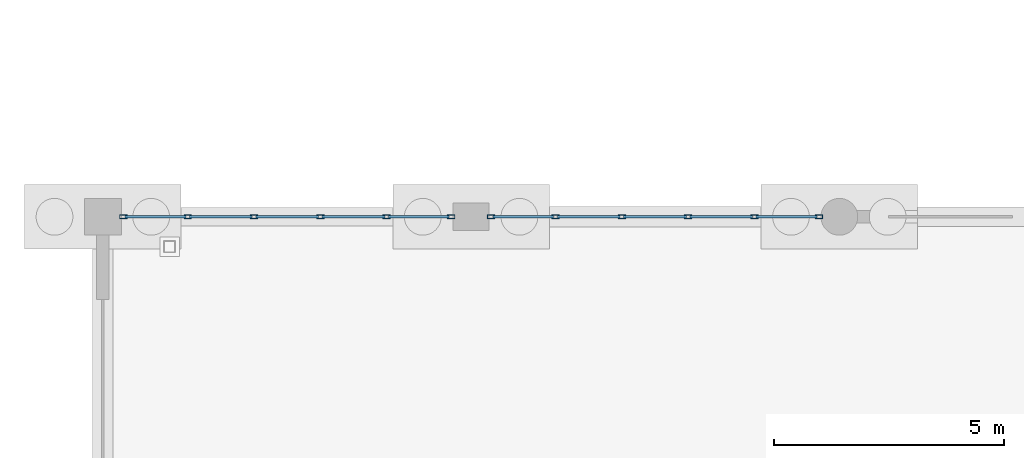
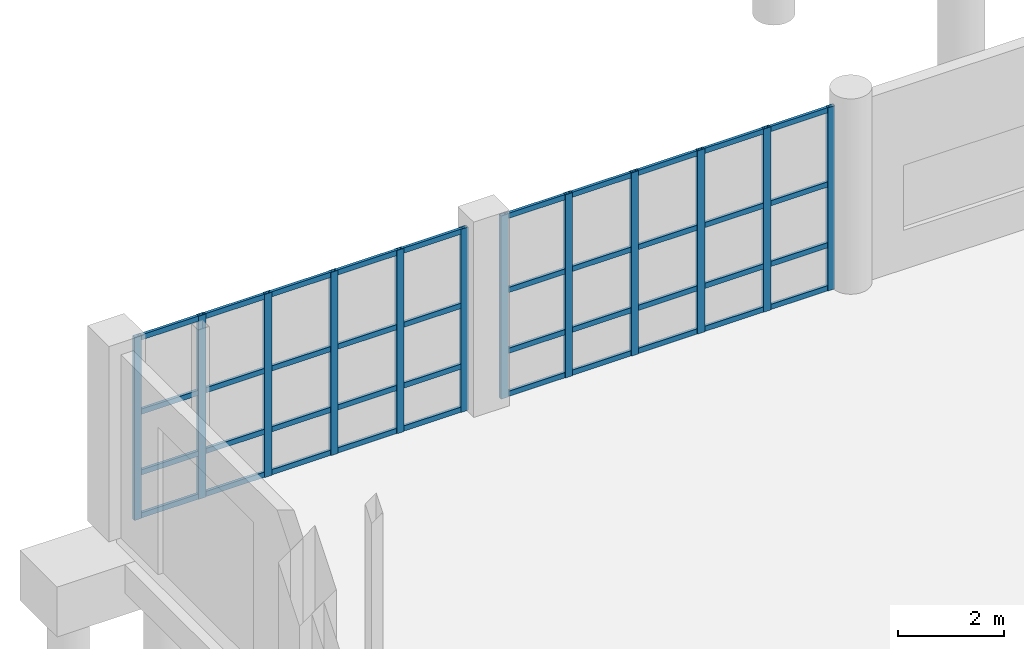
# One storey, part 59 of 166: 52 members, 2 elements without a shape of their own.
"""IFC4 building model written with IfcOpenShell, lengths in metres."""

from ifc_helpers import new_model, si_unit, direction, frame, origin, origin_2d, place, context, subcontext, project, spatial, hollow_rectangle, extrude, material, material_profile, profile_set, type_object, element, aggregate, save


model = new_model("IFC4")

# Units and contexts
model_context = context("Model", 3, precision=1e-05, world=origin(), true_north=direction((0.0, 1.0)))
body_context = subcontext(model_context, "Body", "Model", "MODEL_VIEW")
ifc_project = project(units=[si_unit("LENGTHUNIT", "METRE"), si_unit("AREAUNIT", "SQUARE_METRE"), si_unit("VOLUMEUNIT", "CUBIC_METRE"), si_unit("PLANEANGLEUNIT", "RADIAN"), si_unit("MASSUNIT", "GRAM", prefix="KILO")], contexts=[model_context])

# Site, building, storey
site_placement = place(None, origin())
site = spatial("IfcSite", under=ifc_project, at=site_placement, CompositionType="ELEMENT")
building_placement = place(site_placement, origin())
building = spatial("IfcBuilding", under=site, at=building_placement, Name="Kharva Crest Polytechnic", CompositionType="ELEMENT")
storey_placement = place(building_placement, origin())
storey = spatial("IfcBuildingStorey", under=building, at=storey_placement, Name="L00", CompositionType="ELEMENT", Elevation=0.0)

# Curtain wall, members
ifc_material_1 = material(Name="Tempered insulated glass", Category="glass")
curtain_wall_type = type_object("IfcCurtainWallType", Name="CW-SYS-COURT", PredefinedType="USERDEFINED", material=ifc_material_1)
curtain_wall_1_placement = place(storey_placement, origin())
curtain_wall_1 = element("IfcCurtainWall", 1, at=curtain_wall_1_placement, inside=storey, type_object=curtain_wall_type, Name="L00 Glazed Curtain Wall CW-032", ObjectType="CURTAIN WALL", PredefinedType="USERDEFINED")
ifc_material_2 = material(Name="Steel S355", Category="steel")
ifc_material_profile_1 = material_profile(ifc_material_2, hollow_rectangle(XDim=0.080078125, YDim=0.159912109375, WallThickness=0.0048828125, at=origin_2d()), Name="RHS 160X80X5.0")
ifc_profile_set_1 = profile_set([ifc_material_profile_1], Name="Steel S355")
member_type_1 = type_object("IfcMemberType", Name="CWM-RHS160X80", PredefinedType="MULLION", material=ifc_profile_set_1)
member_1_placement = place(storey_placement, frame((15.554931640625, 93.199951171875, 0.0), z_axis=(0.0, 0.0, 1.0), x_axis=(0.0, -1.0, 0.0)))
member_1 = element("IfcMember", 2, at=member_1_placement, type_object=member_type_1, Name="CW-032 mullion 1", PredefinedType="MULLION", context=body_context, shape_type="SweptSolid", body=[
    extrude(hollow_rectangle(XDim=0.080078125, YDim=0.159912109375, WallThickness=0.0048828125, at=origin_2d()), origin(), (0.0, 0.0, 1.0), 4.219970703125),
])
member_2_placement = place(storey_placement, frame((14.155029296875, 93.199951171875, 0.0), z_axis=(0.0, 0.0, 1.0), x_axis=(0.0, -1.0, 0.0)))
member_2 = element("IfcMember", 3, at=member_2_placement, type_object=member_type_1, Name="CW-032 mullion 2", PredefinedType="MULLION", context=body_context, shape_type="SweptSolid", body=[
    extrude(hollow_rectangle(XDim=0.080078125, YDim=0.159912109375, WallThickness=0.0048828125, at=origin_2d()), origin(), (0.0, 0.0, 1.0), 4.219970703125),
])
member_3_placement = place(storey_placement, frame((12.715087890625, 93.199951171875, 0.0), z_axis=(0.0, 0.0, 1.0), x_axis=(0.0, -1.0, 0.0)))
member_3 = element("IfcMember", 4, at=member_3_placement, type_object=member_type_1, Name="CW-032 mullion 3", PredefinedType="MULLION", context=body_context, shape_type="SweptSolid", body=[
    extrude(hollow_rectangle(XDim=0.080078125, YDim=0.159912109375, WallThickness=0.0048828125, at=origin_2d()), origin(), (0.0, 0.0, 1.0), 4.219970703125),
])
member_4_placement = place(storey_placement, frame((11.27490234375, 93.199951171875, 0.0), z_axis=(0.0, 0.0, 1.0), x_axis=(0.0, -1.0, 0.0)))
member_4 = element("IfcMember", 5, at=member_4_placement, type_object=member_type_1, Name="CW-032 mullion 4", PredefinedType="MULLION", context=body_context, shape_type="SweptSolid", body=[
    extrude(hollow_rectangle(XDim=0.080078125, YDim=0.159912109375, WallThickness=0.0048828125, at=origin_2d()), origin(), (0.0, 0.0, 1.0), 4.219970703125),
])
member_5_placement = place(storey_placement, frame((9.8349609375, 93.199951171875, 0.0), z_axis=(0.0, 0.0, 1.0), x_axis=(0.0, -1.0, 0.0)))
member_5 = element("IfcMember", 6, at=member_5_placement, type_object=member_type_1, Name="CW-032 mullion 5", PredefinedType="MULLION", context=body_context, shape_type="SweptSolid", body=[
    extrude(hollow_rectangle(XDim=0.080078125, YDim=0.159912109375, WallThickness=0.0048828125, at=origin_2d()), origin(), (0.0, 0.0, 1.0), 4.219970703125),
])
member_6_placement = place(storey_placement, frame((8.43505859375, 93.199951171875, 0.0), z_axis=(0.0, 0.0, 1.0), x_axis=(0.0, -1.0, 0.0)))
member_6 = element("IfcMember", 7, at=member_6_placement, type_object=member_type_1, Name="CW-032 mullion 6", PredefinedType="MULLION", context=body_context, shape_type="SweptSolid", body=[
    extrude(hollow_rectangle(XDim=0.080078125, YDim=0.159912109375, WallThickness=0.0048828125, at=origin_2d()), origin(), (0.0, 0.0, 1.0), 4.219970703125),
])

curtain_wall_2_placement = place(storey_placement, origin())
curtain_wall_2 = element("IfcCurtainWall", 8, at=curtain_wall_2_placement, inside=storey, type_object=curtain_wall_type, Name="L00 Glazed Curtain Wall CW-033", ObjectType="CURTAIN WALL", PredefinedType="USERDEFINED")
member_7_placement = place(storey_placement, frame((7.56494140625, 93.199951171875, 0.0), z_axis=(0.0, 0.0, 1.0), x_axis=(0.0, -1.0, 0.0)))
member_7 = element("IfcMember", 9, at=member_7_placement, type_object=member_type_1, Name="CW-033 mullion 1", PredefinedType="MULLION", context=body_context, shape_type="SweptSolid", body=[
    extrude(hollow_rectangle(XDim=0.080078125, YDim=0.159912109375, WallThickness=0.0048828125, at=origin_2d()), origin(), (0.0, 0.0, 1.0), 4.219970703125),
])
member_8_placement = place(storey_placement, frame((6.1650390625, 93.199951171875, 0.0), z_axis=(0.0, 0.0, 1.0), x_axis=(0.0, -1.0, 0.0)))
member_8 = element("IfcMember", 10, at=member_8_placement, type_object=member_type_1, Name="CW-033 mullion 2", PredefinedType="MULLION", context=body_context, shape_type="SweptSolid", body=[
    extrude(hollow_rectangle(XDim=0.080078125, YDim=0.159912109375, WallThickness=0.0048828125, at=origin_2d()), origin(), (0.0, 0.0, 1.0), 4.219970703125),
])
member_9_placement = place(storey_placement, frame((4.72509765625, 93.199951171875, 0.0), z_axis=(0.0, 0.0, 1.0), x_axis=(0.0, -1.0, 0.0)))
member_9 = element("IfcMember", 11, at=member_9_placement, type_object=member_type_1, Name="CW-033 mullion 3", PredefinedType="MULLION", context=body_context, shape_type="SweptSolid", body=[
    extrude(hollow_rectangle(XDim=0.080078125, YDim=0.159912109375, WallThickness=0.0048828125, at=origin_2d()), origin(), (0.0, 0.0, 1.0), 4.219970703125),
])
member_10_placement = place(storey_placement, frame((3.284912109375, 93.199951171875, 0.0), z_axis=(0.0, 0.0, 1.0), x_axis=(0.0, -1.0, 0.0)))
member_10 = element("IfcMember", 12, at=member_10_placement, type_object=member_type_1, Name="CW-033 mullion 4", PredefinedType="MULLION", context=body_context, shape_type="SweptSolid", body=[
    extrude(hollow_rectangle(XDim=0.080078125, YDim=0.159912109375, WallThickness=0.0048828125, at=origin_2d()), origin(), (0.0, 0.0, 1.0), 4.219970703125),
])
member_11_placement = place(storey_placement, frame((1.844970703125, 93.199951171875, 0.0), z_axis=(0.0, 0.0, 1.0), x_axis=(0.0, -1.0, 0.0)))
member_11 = element("IfcMember", 13, at=member_11_placement, type_object=member_type_1, Name="CW-033 mullion 5", PredefinedType="MULLION", context=body_context, shape_type="SweptSolid", body=[
    extrude(hollow_rectangle(XDim=0.080078125, YDim=0.159912109375, WallThickness=0.0048828125, at=origin_2d()), origin(), (0.0, 0.0, 1.0), 4.219970703125),
])
member_12_placement = place(storey_placement, frame((0.445068359375, 93.199951171875, 0.0), z_axis=(0.0, 0.0, 1.0), x_axis=(0.0, -1.0, 0.0)))
member_12 = element("IfcMember", 14, at=member_12_placement, type_object=member_type_1, Name="CW-033 mullion 6", PredefinedType="MULLION", context=body_context, shape_type="SweptSolid", body=[
    extrude(hollow_rectangle(XDim=0.080078125, YDim=0.159912109375, WallThickness=0.0048828125, at=origin_2d()), origin(), (0.0, 0.0, 1.0), 4.219970703125),
])

# Member
ifc_material_profile_2 = material_profile(ifc_material_2, hollow_rectangle(XDim=0.06005859375, YDim=0.1201171875, WallThickness=0.00390625, at=origin_2d()), Name="RHS 120X60X4.0")
ifc_profile_set_2 = profile_set([ifc_material_profile_2], Name="Steel S355")
member_type_2 = type_object("IfcMemberType", Name="CWT-RHS120X60", PredefinedType="USERDEFINED", material=ifc_profile_set_2)
member_13_placement = place(storey_placement, frame((15.514892578125, 93.199951171875, 0.06005859375), z_axis=(-1.0, 0.0, 0.0), x_axis=(0.0, -1.0, 0.0)))
member_13 = element("IfcMember", 15, at=member_13_placement, type_object=member_type_2, Name="CW-032 transom 1.1", ObjectType="TRANSOM", PredefinedType="USERDEFINED", context=body_context, shape_type="SweptSolid", body=[
    extrude(hollow_rectangle(XDim=0.06005859375, YDim=0.1201171875, WallThickness=0.00390625, at=origin_2d()), origin(), (0.0, 0.0, 1.0), 1.31982421875),
])

member_14_placement = place(storey_placement, frame((15.514892578125, 93.199951171875, 1.050048828125), z_axis=(-1.0, 0.0, 0.0), x_axis=(0.0, -1.0, 0.0)))
member_14 = element("IfcMember", 16, at=member_14_placement, type_object=member_type_2, Name="CW-032 transom 1.2", ObjectType="TRANSOM", PredefinedType="USERDEFINED", context=body_context, shape_type="SweptSolid", body=[
    extrude(hollow_rectangle(XDim=0.06005859375, YDim=0.1201171875, WallThickness=0.00390625, at=origin_2d()), origin(), (0.0, 0.0, 1.0), 1.31982421875),
])

member_15_placement = place(storey_placement, frame((15.514892578125, 93.199951171875, 2.449951171875), z_axis=(-1.0, 0.0, 0.0), x_axis=(0.0, -1.0, 0.0)))
member_15 = element("IfcMember", 17, at=member_15_placement, type_object=member_type_2, Name="CW-032 transom 1.3", ObjectType="TRANSOM", PredefinedType="USERDEFINED", context=body_context, shape_type="SweptSolid", body=[
    extrude(hollow_rectangle(XDim=0.06005859375, YDim=0.1201171875, WallThickness=0.00390625, at=origin_2d()), origin(), (0.0, 0.0, 1.0), 1.31982421875),
])

member_16_placement = place(storey_placement, frame((15.514892578125, 93.199951171875, 4.159912109375), z_axis=(-1.0, 0.0, 0.0), x_axis=(0.0, -1.0, 0.0)))
member_16 = element("IfcMember", 18, at=member_16_placement, type_object=member_type_2, Name="CW-032 transom 1.4", ObjectType="TRANSOM", PredefinedType="USERDEFINED", context=body_context, shape_type="SweptSolid", body=[
    extrude(hollow_rectangle(XDim=0.06005859375, YDim=0.1201171875, WallThickness=0.00390625, at=origin_2d()), origin(), (0.0, 0.0, 1.0), 1.31982421875),
])

member_17_placement = place(storey_placement, frame((14.114990234375, 93.199951171875, 0.06005859375), z_axis=(-1.0, 0.0, 0.0), x_axis=(0.0, -1.0, 0.0)))
member_17 = element("IfcMember", 19, at=member_17_placement, type_object=member_type_2, Name="CW-032 transom 2.1", ObjectType="TRANSOM", PredefinedType="USERDEFINED", context=body_context, shape_type="SweptSolid", body=[
    extrude(hollow_rectangle(XDim=0.06005859375, YDim=0.1201171875, WallThickness=0.00390625, at=origin_2d()), origin(), (0.0, 0.0, 1.0), 1.360107421875),
])

member_18_placement = place(storey_placement, frame((14.114990234375, 93.199951171875, 1.050048828125), z_axis=(-1.0, 0.0, 0.0), x_axis=(0.0, -1.0, 0.0)))
member_18 = element("IfcMember", 20, at=member_18_placement, type_object=member_type_2, Name="CW-032 transom 2.2", ObjectType="TRANSOM", PredefinedType="USERDEFINED", context=body_context, shape_type="SweptSolid", body=[
    extrude(hollow_rectangle(XDim=0.06005859375, YDim=0.1201171875, WallThickness=0.00390625, at=origin_2d()), origin(), (0.0, 0.0, 1.0), 1.360107421875),
])

member_19_placement = place(storey_placement, frame((14.114990234375, 93.199951171875, 2.449951171875), z_axis=(-1.0, 0.0, 0.0), x_axis=(0.0, -1.0, 0.0)))
member_19 = element("IfcMember", 21, at=member_19_placement, type_object=member_type_2, Name="CW-032 transom 2.3", ObjectType="TRANSOM", PredefinedType="USERDEFINED", context=body_context, shape_type="SweptSolid", body=[
    extrude(hollow_rectangle(XDim=0.06005859375, YDim=0.1201171875, WallThickness=0.00390625, at=origin_2d()), origin(), (0.0, 0.0, 1.0), 1.360107421875),
])

member_20_placement = place(storey_placement, frame((14.114990234375, 93.199951171875, 4.159912109375), z_axis=(-1.0, 0.0, 0.0), x_axis=(0.0, -1.0, 0.0)))
member_20 = element("IfcMember", 22, at=member_20_placement, type_object=member_type_2, Name="CW-032 transom 2.4", ObjectType="TRANSOM", PredefinedType="USERDEFINED", context=body_context, shape_type="SweptSolid", body=[
    extrude(hollow_rectangle(XDim=0.06005859375, YDim=0.1201171875, WallThickness=0.00390625, at=origin_2d()), origin(), (0.0, 0.0, 1.0), 1.360107421875),
])

member_21_placement = place(storey_placement, frame((12.675048828125, 93.199951171875, 0.06005859375), z_axis=(-1.0, 0.0, 0.0), x_axis=(0.0, -1.0, 0.0)))
member_21 = element("IfcMember", 23, at=member_21_placement, type_object=member_type_2, Name="CW-032 transom 3.1", ObjectType="TRANSOM", PredefinedType="USERDEFINED", context=body_context, shape_type="SweptSolid", body=[
    extrude(hollow_rectangle(XDim=0.06005859375, YDim=0.1201171875, WallThickness=0.00390625, at=origin_2d()), origin(), (0.0, 0.0, 1.0), 1.360107421875),
])

member_22_placement = place(storey_placement, frame((12.675048828125, 93.199951171875, 1.050048828125), z_axis=(-1.0, 0.0, 0.0), x_axis=(0.0, -1.0, 0.0)))
member_22 = element("IfcMember", 24, at=member_22_placement, type_object=member_type_2, Name="CW-032 transom 3.2", ObjectType="TRANSOM", PredefinedType="USERDEFINED", context=body_context, shape_type="SweptSolid", body=[
    extrude(hollow_rectangle(XDim=0.06005859375, YDim=0.1201171875, WallThickness=0.00390625, at=origin_2d()), origin(), (0.0, 0.0, 1.0), 1.360107421875),
])

member_23_placement = place(storey_placement, frame((12.675048828125, 93.199951171875, 2.449951171875), z_axis=(-1.0, 0.0, 0.0), x_axis=(0.0, -1.0, 0.0)))
member_23 = element("IfcMember", 25, at=member_23_placement, type_object=member_type_2, Name="CW-032 transom 3.3", ObjectType="TRANSOM", PredefinedType="USERDEFINED", context=body_context, shape_type="SweptSolid", body=[
    extrude(hollow_rectangle(XDim=0.06005859375, YDim=0.1201171875, WallThickness=0.00390625, at=origin_2d()), origin(), (0.0, 0.0, 1.0), 1.360107421875),
])

member_24_placement = place(storey_placement, frame((12.675048828125, 93.199951171875, 4.159912109375), z_axis=(-1.0, 0.0, 0.0), x_axis=(0.0, -1.0, 0.0)))
member_24 = element("IfcMember", 26, at=member_24_placement, type_object=member_type_2, Name="CW-032 transom 3.4", ObjectType="TRANSOM", PredefinedType="USERDEFINED", context=body_context, shape_type="SweptSolid", body=[
    extrude(hollow_rectangle(XDim=0.06005859375, YDim=0.1201171875, WallThickness=0.00390625, at=origin_2d()), origin(), (0.0, 0.0, 1.0), 1.360107421875),
])

member_25_placement = place(storey_placement, frame((11.235107421875, 93.199951171875, 0.06005859375), z_axis=(-1.0, 0.0, 0.0), x_axis=(0.0, -1.0, 0.0)))
member_25 = element("IfcMember", 27, at=member_25_placement, type_object=member_type_2, Name="CW-032 transom 4.1", ObjectType="TRANSOM", PredefinedType="USERDEFINED", context=body_context, shape_type="SweptSolid", body=[
    extrude(hollow_rectangle(XDim=0.06005859375, YDim=0.1201171875, WallThickness=0.00390625, at=origin_2d()), origin(), (0.0, 0.0, 1.0), 1.360107421875),
])

member_26_placement = place(storey_placement, frame((11.235107421875, 93.199951171875, 1.050048828125), z_axis=(-1.0, 0.0, 0.0), x_axis=(0.0, -1.0, 0.0)))
member_26 = element("IfcMember", 28, at=member_26_placement, type_object=member_type_2, Name="CW-032 transom 4.2", ObjectType="TRANSOM", PredefinedType="USERDEFINED", context=body_context, shape_type="SweptSolid", body=[
    extrude(hollow_rectangle(XDim=0.06005859375, YDim=0.1201171875, WallThickness=0.00390625, at=origin_2d()), origin(), (0.0, 0.0, 1.0), 1.360107421875),
])

member_27_placement = place(storey_placement, frame((11.235107421875, 93.199951171875, 2.449951171875), z_axis=(-1.0, 0.0, 0.0), x_axis=(0.0, -1.0, 0.0)))
member_27 = element("IfcMember", 29, at=member_27_placement, type_object=member_type_2, Name="CW-032 transom 4.3", ObjectType="TRANSOM", PredefinedType="USERDEFINED", context=body_context, shape_type="SweptSolid", body=[
    extrude(hollow_rectangle(XDim=0.06005859375, YDim=0.1201171875, WallThickness=0.00390625, at=origin_2d()), origin(), (0.0, 0.0, 1.0), 1.360107421875),
])

member_28_placement = place(storey_placement, frame((11.235107421875, 93.199951171875, 4.159912109375), z_axis=(-1.0, 0.0, 0.0), x_axis=(0.0, -1.0, 0.0)))
member_28 = element("IfcMember", 30, at=member_28_placement, type_object=member_type_2, Name="CW-032 transom 4.4", ObjectType="TRANSOM", PredefinedType="USERDEFINED", context=body_context, shape_type="SweptSolid", body=[
    extrude(hollow_rectangle(XDim=0.06005859375, YDim=0.1201171875, WallThickness=0.00390625, at=origin_2d()), origin(), (0.0, 0.0, 1.0), 1.360107421875),
])

member_29_placement = place(storey_placement, frame((9.794921875, 93.199951171875, 0.06005859375), z_axis=(-1.0, 0.0, 0.0), x_axis=(0.0, -1.0, 0.0)))
member_29 = element("IfcMember", 31, at=member_29_placement, type_object=member_type_2, Name="CW-032 transom 5.1", ObjectType="TRANSOM", PredefinedType="USERDEFINED", context=body_context, shape_type="SweptSolid", body=[
    extrude(hollow_rectangle(XDim=0.06005859375, YDim=0.1201171875, WallThickness=0.00390625, at=origin_2d()), origin(), (0.0, 0.0, 1.0), 1.31982421875),
])

member_30_placement = place(storey_placement, frame((9.794921875, 93.199951171875, 1.050048828125), z_axis=(-1.0, 0.0, 0.0), x_axis=(0.0, -1.0, 0.0)))
member_30 = element("IfcMember", 32, at=member_30_placement, type_object=member_type_2, Name="CW-032 transom 5.2", ObjectType="TRANSOM", PredefinedType="USERDEFINED", context=body_context, shape_type="SweptSolid", body=[
    extrude(hollow_rectangle(XDim=0.06005859375, YDim=0.1201171875, WallThickness=0.00390625, at=origin_2d()), origin(), (0.0, 0.0, 1.0), 1.31982421875),
])

member_31_placement = place(storey_placement, frame((9.794921875, 93.199951171875, 2.449951171875), z_axis=(-1.0, 0.0, 0.0), x_axis=(0.0, -1.0, 0.0)))
member_31 = element("IfcMember", 33, at=member_31_placement, type_object=member_type_2, Name="CW-032 transom 5.3", ObjectType="TRANSOM", PredefinedType="USERDEFINED", context=body_context, shape_type="SweptSolid", body=[
    extrude(hollow_rectangle(XDim=0.06005859375, YDim=0.1201171875, WallThickness=0.00390625, at=origin_2d()), origin(), (0.0, 0.0, 1.0), 1.31982421875),
])

member_32_placement = place(storey_placement, frame((9.794921875, 93.199951171875, 4.159912109375), z_axis=(-1.0, 0.0, 0.0), x_axis=(0.0, -1.0, 0.0)))
member_32 = element("IfcMember", 34, at=member_32_placement, type_object=member_type_2, Name="CW-032 transom 5.4", ObjectType="TRANSOM", PredefinedType="USERDEFINED", context=body_context, shape_type="SweptSolid", body=[
    extrude(hollow_rectangle(XDim=0.06005859375, YDim=0.1201171875, WallThickness=0.00390625, at=origin_2d()), origin(), (0.0, 0.0, 1.0), 1.31982421875),
])

aggregate(curtain_wall_1, [member_1, member_2, member_3, member_4, member_5, member_6, member_13, member_14, member_15, member_16, member_17, member_18, member_19, member_20, member_21, member_22, member_23, member_24, member_25, member_26, member_27, member_28, member_29, member_30, member_31, member_32])

member_33_placement = place(storey_placement, frame((7.52490234375, 93.199951171875, 0.06005859375), z_axis=(-1.0, 0.0, 0.0), x_axis=(0.0, -1.0, 0.0)))
member_33 = element("IfcMember", 35, at=member_33_placement, type_object=member_type_2, Name="CW-033 transom 1.1", ObjectType="TRANSOM", PredefinedType="USERDEFINED", context=body_context, shape_type="SweptSolid", body=[
    extrude(hollow_rectangle(XDim=0.06005859375, YDim=0.1201171875, WallThickness=0.00390625, at=origin_2d()), origin(), (0.0, 0.0, 1.0), 1.31982421875),
])

member_34_placement = place(storey_placement, frame((7.52490234375, 93.199951171875, 1.050048828125), z_axis=(-1.0, 0.0, 0.0), x_axis=(0.0, -1.0, 0.0)))
member_34 = element("IfcMember", 36, at=member_34_placement, type_object=member_type_2, Name="CW-033 transom 1.2", ObjectType="TRANSOM", PredefinedType="USERDEFINED", context=body_context, shape_type="SweptSolid", body=[
    extrude(hollow_rectangle(XDim=0.06005859375, YDim=0.1201171875, WallThickness=0.00390625, at=origin_2d()), origin(), (0.0, 0.0, 1.0), 1.31982421875),
])

member_35_placement = place(storey_placement, frame((7.52490234375, 93.199951171875, 2.449951171875), z_axis=(-1.0, 0.0, 0.0), x_axis=(0.0, -1.0, 0.0)))
member_35 = element("IfcMember", 37, at=member_35_placement, type_object=member_type_2, Name="CW-033 transom 1.3", ObjectType="TRANSOM", PredefinedType="USERDEFINED", context=body_context, shape_type="SweptSolid", body=[
    extrude(hollow_rectangle(XDim=0.06005859375, YDim=0.1201171875, WallThickness=0.00390625, at=origin_2d()), origin(), (0.0, 0.0, 1.0), 1.31982421875),
])

member_36_placement = place(storey_placement, frame((7.52490234375, 93.199951171875, 4.159912109375), z_axis=(-1.0, 0.0, 0.0), x_axis=(0.0, -1.0, 0.0)))
member_36 = element("IfcMember", 38, at=member_36_placement, type_object=member_type_2, Name="CW-033 transom 1.4", ObjectType="TRANSOM", PredefinedType="USERDEFINED", context=body_context, shape_type="SweptSolid", body=[
    extrude(hollow_rectangle(XDim=0.06005859375, YDim=0.1201171875, WallThickness=0.00390625, at=origin_2d()), origin(), (0.0, 0.0, 1.0), 1.31982421875),
])

member_37_placement = place(storey_placement, frame((6.125, 93.199951171875, 0.06005859375), z_axis=(-1.0, 0.0, 0.0), x_axis=(0.0, -1.0, 0.0)))
member_37 = element("IfcMember", 39, at=member_37_placement, type_object=member_type_2, Name="CW-033 transom 2.1", ObjectType="TRANSOM", PredefinedType="USERDEFINED", context=body_context, shape_type="SweptSolid", body=[
    extrude(hollow_rectangle(XDim=0.06005859375, YDim=0.1201171875, WallThickness=0.00390625, at=origin_2d()), origin(), (0.0, 0.0, 1.0), 1.360107421875),
])

member_38_placement = place(storey_placement, frame((6.125, 93.199951171875, 1.050048828125), z_axis=(-1.0, 0.0, 0.0), x_axis=(0.0, -1.0, 0.0)))
member_38 = element("IfcMember", 40, at=member_38_placement, type_object=member_type_2, Name="CW-033 transom 2.2", ObjectType="TRANSOM", PredefinedType="USERDEFINED", context=body_context, shape_type="SweptSolid", body=[
    extrude(hollow_rectangle(XDim=0.06005859375, YDim=0.1201171875, WallThickness=0.00390625, at=origin_2d()), origin(), (0.0, 0.0, 1.0), 1.360107421875),
])

member_39_placement = place(storey_placement, frame((6.125, 93.199951171875, 2.449951171875), z_axis=(-1.0, 0.0, 0.0), x_axis=(0.0, -1.0, 0.0)))
member_39 = element("IfcMember", 41, at=member_39_placement, type_object=member_type_2, Name="CW-033 transom 2.3", ObjectType="TRANSOM", PredefinedType="USERDEFINED", context=body_context, shape_type="SweptSolid", body=[
    extrude(hollow_rectangle(XDim=0.06005859375, YDim=0.1201171875, WallThickness=0.00390625, at=origin_2d()), origin(), (0.0, 0.0, 1.0), 1.360107421875),
])

member_40_placement = place(storey_placement, frame((6.125, 93.199951171875, 4.159912109375), z_axis=(-1.0, 0.0, 0.0), x_axis=(0.0, -1.0, 0.0)))
member_40 = element("IfcMember", 42, at=member_40_placement, type_object=member_type_2, Name="CW-033 transom 2.4", ObjectType="TRANSOM", PredefinedType="USERDEFINED", context=body_context, shape_type="SweptSolid", body=[
    extrude(hollow_rectangle(XDim=0.06005859375, YDim=0.1201171875, WallThickness=0.00390625, at=origin_2d()), origin(), (0.0, 0.0, 1.0), 1.360107421875),
])

member_41_placement = place(storey_placement, frame((4.68505859375, 93.199951171875, 0.06005859375), z_axis=(-1.0, 0.0, 0.0), x_axis=(0.0, -1.0, 0.0)))
member_41 = element("IfcMember", 43, at=member_41_placement, type_object=member_type_2, Name="CW-033 transom 3.1", ObjectType="TRANSOM", PredefinedType="USERDEFINED", context=body_context, shape_type="SweptSolid", body=[
    extrude(hollow_rectangle(XDim=0.06005859375, YDim=0.1201171875, WallThickness=0.00390625, at=origin_2d()), origin(), (0.0, 0.0, 1.0), 1.360107421875),
])

member_42_placement = place(storey_placement, frame((4.68505859375, 93.199951171875, 1.050048828125), z_axis=(-1.0, 0.0, 0.0), x_axis=(0.0, -1.0, 0.0)))
member_42 = element("IfcMember", 44, at=member_42_placement, type_object=member_type_2, Name="CW-033 transom 3.2", ObjectType="TRANSOM", PredefinedType="USERDEFINED", context=body_context, shape_type="SweptSolid", body=[
    extrude(hollow_rectangle(XDim=0.06005859375, YDim=0.1201171875, WallThickness=0.00390625, at=origin_2d()), origin(), (0.0, 0.0, 1.0), 1.360107421875),
])

member_43_placement = place(storey_placement, frame((4.68505859375, 93.199951171875, 2.449951171875), z_axis=(-1.0, 0.0, 0.0), x_axis=(0.0, -1.0, 0.0)))
member_43 = element("IfcMember", 45, at=member_43_placement, type_object=member_type_2, Name="CW-033 transom 3.3", ObjectType="TRANSOM", PredefinedType="USERDEFINED", context=body_context, shape_type="SweptSolid", body=[
    extrude(hollow_rectangle(XDim=0.06005859375, YDim=0.1201171875, WallThickness=0.00390625, at=origin_2d()), origin(), (0.0, 0.0, 1.0), 1.360107421875),
])

member_44_placement = place(storey_placement, frame((4.68505859375, 93.199951171875, 4.159912109375), z_axis=(-1.0, 0.0, 0.0), x_axis=(0.0, -1.0, 0.0)))
member_44 = element("IfcMember", 46, at=member_44_placement, type_object=member_type_2, Name="CW-033 transom 3.4", ObjectType="TRANSOM", PredefinedType="USERDEFINED", context=body_context, shape_type="SweptSolid", body=[
    extrude(hollow_rectangle(XDim=0.06005859375, YDim=0.1201171875, WallThickness=0.00390625, at=origin_2d()), origin(), (0.0, 0.0, 1.0), 1.360107421875),
])

member_45_placement = place(storey_placement, frame((3.2451171875, 93.199951171875, 0.06005859375), z_axis=(-1.0, 0.0, 0.0), x_axis=(0.0, -1.0, 0.0)))
member_45 = element("IfcMember", 47, at=member_45_placement, type_object=member_type_2, Name="CW-033 transom 4.1", ObjectType="TRANSOM", PredefinedType="USERDEFINED", context=body_context, shape_type="SweptSolid", body=[
    extrude(hollow_rectangle(XDim=0.06005859375, YDim=0.1201171875, WallThickness=0.00390625, at=origin_2d()), origin(), (0.0, 0.0, 1.0), 1.360107421875),
])

member_46_placement = place(storey_placement, frame((3.2451171875, 93.199951171875, 1.050048828125), z_axis=(-1.0, 0.0, 0.0), x_axis=(0.0, -1.0, 0.0)))
member_46 = element("IfcMember", 48, at=member_46_placement, type_object=member_type_2, Name="CW-033 transom 4.2", ObjectType="TRANSOM", PredefinedType="USERDEFINED", context=body_context, shape_type="SweptSolid", body=[
    extrude(hollow_rectangle(XDim=0.06005859375, YDim=0.1201171875, WallThickness=0.00390625, at=origin_2d()), origin(), (0.0, 0.0, 1.0), 1.360107421875),
])

member_47_placement = place(storey_placement, frame((3.2451171875, 93.199951171875, 2.449951171875), z_axis=(-1.0, 0.0, 0.0), x_axis=(0.0, -1.0, 0.0)))
member_47 = element("IfcMember", 49, at=member_47_placement, type_object=member_type_2, Name="CW-033 transom 4.3", ObjectType="TRANSOM", PredefinedType="USERDEFINED", context=body_context, shape_type="SweptSolid", body=[
    extrude(hollow_rectangle(XDim=0.06005859375, YDim=0.1201171875, WallThickness=0.00390625, at=origin_2d()), origin(), (0.0, 0.0, 1.0), 1.360107421875),
])

member_48_placement = place(storey_placement, frame((3.2451171875, 93.199951171875, 4.159912109375), z_axis=(-1.0, 0.0, 0.0), x_axis=(0.0, -1.0, 0.0)))
member_48 = element("IfcMember", 50, at=member_48_placement, type_object=member_type_2, Name="CW-033 transom 4.4", ObjectType="TRANSOM", PredefinedType="USERDEFINED", context=body_context, shape_type="SweptSolid", body=[
    extrude(hollow_rectangle(XDim=0.06005859375, YDim=0.1201171875, WallThickness=0.00390625, at=origin_2d()), origin(), (0.0, 0.0, 1.0), 1.360107421875),
])

member_49_placement = place(storey_placement, frame((1.804931640625, 93.199951171875, 0.06005859375), z_axis=(-1.0, 0.0, 0.0), x_axis=(0.0, -1.0, 0.0)))
member_49 = element("IfcMember", 51, at=member_49_placement, type_object=member_type_2, Name="CW-033 transom 5.1", ObjectType="TRANSOM", PredefinedType="USERDEFINED", context=body_context, shape_type="SweptSolid", body=[
    extrude(hollow_rectangle(XDim=0.06005859375, YDim=0.1201171875, WallThickness=0.00390625, at=origin_2d()), origin(), (0.0, 0.0, 1.0), 1.31982421875),
])

member_50_placement = place(storey_placement, frame((1.804931640625, 93.199951171875, 1.050048828125), z_axis=(-1.0, 0.0, 0.0), x_axis=(0.0, -1.0, 0.0)))
member_50 = element("IfcMember", 52, at=member_50_placement, type_object=member_type_2, Name="CW-033 transom 5.2", ObjectType="TRANSOM", PredefinedType="USERDEFINED", context=body_context, shape_type="SweptSolid", body=[
    extrude(hollow_rectangle(XDim=0.06005859375, YDim=0.1201171875, WallThickness=0.00390625, at=origin_2d()), origin(), (0.0, 0.0, 1.0), 1.31982421875),
])

member_51_placement = place(storey_placement, frame((1.804931640625, 93.199951171875, 2.449951171875), z_axis=(-1.0, 0.0, 0.0), x_axis=(0.0, -1.0, 0.0)))
member_51 = element("IfcMember", 53, at=member_51_placement, type_object=member_type_2, Name="CW-033 transom 5.3", ObjectType="TRANSOM", PredefinedType="USERDEFINED", context=body_context, shape_type="SweptSolid", body=[
    extrude(hollow_rectangle(XDim=0.06005859375, YDim=0.1201171875, WallThickness=0.00390625, at=origin_2d()), origin(), (0.0, 0.0, 1.0), 1.31982421875),
])

member_52_placement = place(storey_placement, frame((1.804931640625, 93.199951171875, 4.159912109375), z_axis=(-1.0, 0.0, 0.0), x_axis=(0.0, -1.0, 0.0)))
member_52 = element("IfcMember", 54, at=member_52_placement, type_object=member_type_2, Name="CW-033 transom 5.4", ObjectType="TRANSOM", PredefinedType="USERDEFINED", context=body_context, shape_type="SweptSolid", body=[
    extrude(hollow_rectangle(XDim=0.06005859375, YDim=0.1201171875, WallThickness=0.00390625, at=origin_2d()), origin(), (0.0, 0.0, 1.0), 1.31982421875),
])

aggregate(curtain_wall_2, [member_7, member_8, member_9, member_10, member_11, member_12, member_33, member_34, member_35, member_36, member_37, member_38, member_39, member_40, member_41, member_42, member_43, member_44, member_45, member_46, member_47, member_48, member_49, member_50, member_51, member_52])

save(model, "model.ifc")
